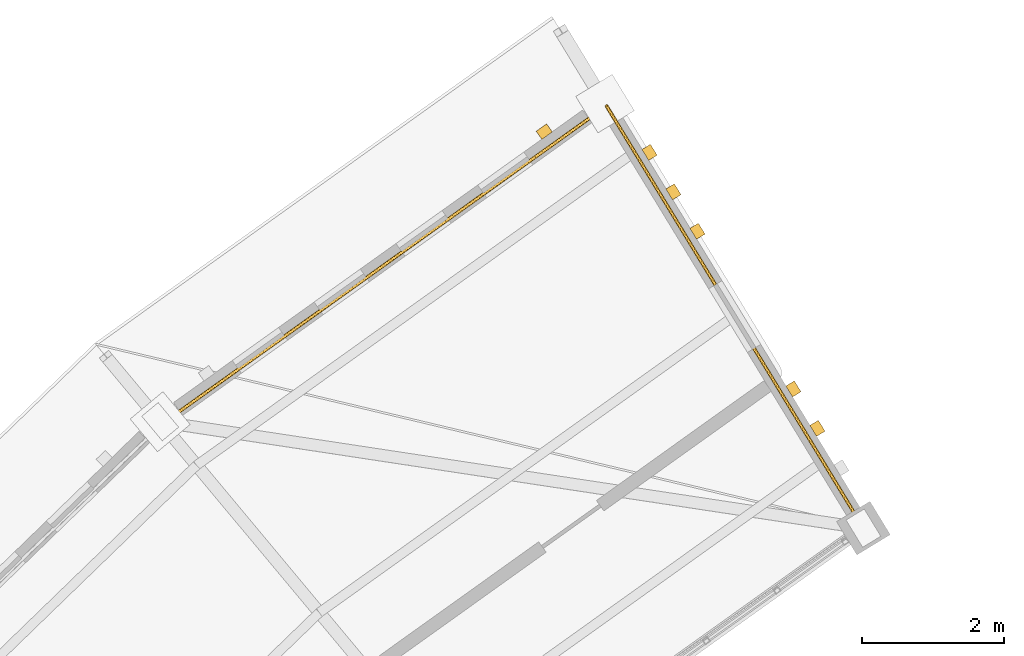
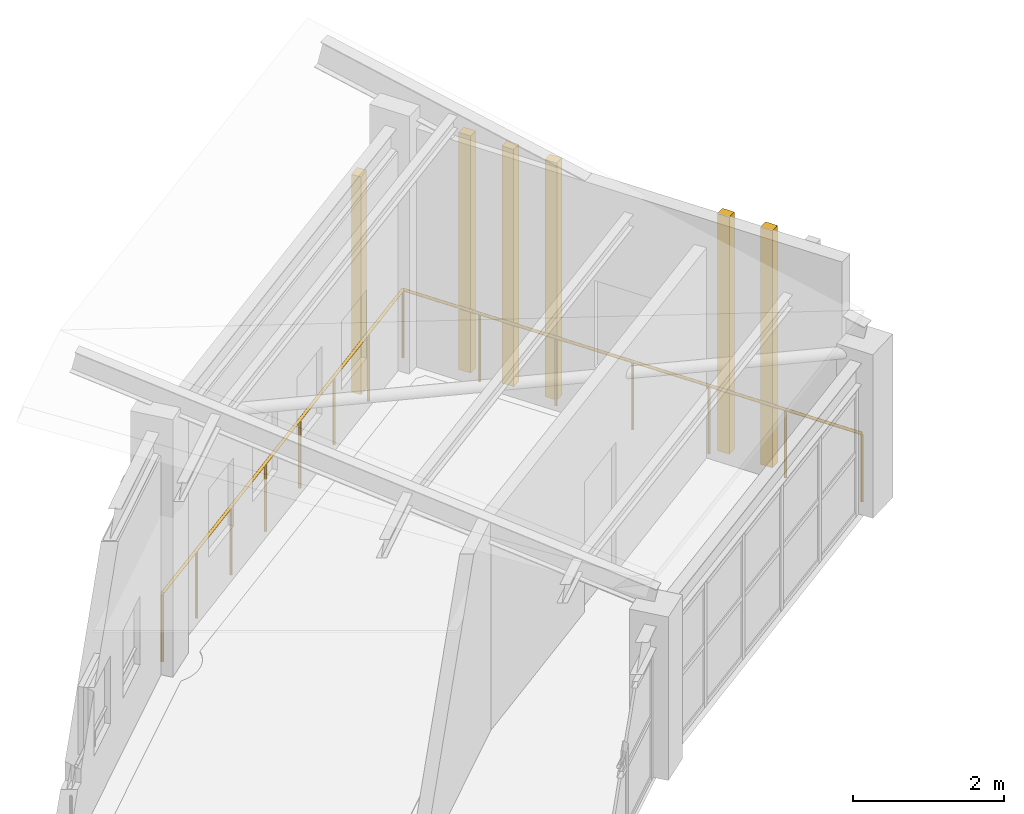
# One storey, part 145 of 149: 6 coverings, 2 railings.
"""IFC4 building model written with IfcOpenShell, lengths in metres."""

from ifc_helpers import new_model, si_unit, direction, frame, origin, origin_2d, place, context, subcontext, project, spatial, rectangle, circle, extrude, material, layer, layer_set, type_object, element, save


model = new_model("IFC4")

# Units and contexts
model_context = context("Model", 3, precision=1e-05, world=origin(), true_north=direction((0.0, 1.0)))
body_context = subcontext(model_context, "Body", "Model", "MODEL_VIEW")
ifc_project = project(units=[si_unit("LENGTHUNIT", "METRE"), si_unit("AREAUNIT", "SQUARE_METRE"), si_unit("VOLUMEUNIT", "CUBIC_METRE"), si_unit("PLANEANGLEUNIT", "RADIAN"), si_unit("MASSUNIT", "GRAM", prefix="KILO")], contexts=[model_context])

# Site, building, storey
site_placement = place(None, origin())
site = spatial("IfcSite", under=ifc_project, at=site_placement, CompositionType="ELEMENT")
building_placement = place(site_placement, origin())
building = spatial("IfcBuilding", under=site, at=building_placement, Name="Celadon Cloister-Ring School", CompositionType="ELEMENT")
storey_placement = place(building_placement, frame((0.0, 0.0, 12.5)))
storey = spatial("IfcBuildingStorey", under=building, at=storey_placement, Name="L03", CompositionType="ELEMENT", Elevation=12.5)

# Coverings
ifc_material_1 = material(Name="Perforated terracotta clay brick masonry", Category="masonry")
ifc_layer = layer(ifc_material_1, 0.139892578125)
ifc_layer_set = layer_set([ifc_layer], Name="Perforated terracotta clay brick masonry")
covering_type = type_object("IfcCoveringType", Name="CV-SC1", PredefinedType="CLADDING", material=ifc_layer_set)
covering_placement = place(storey_placement, frame((59.112060546875, 103.027099609375, -0.00048828125), z_axis=(0.0, 0.0, 1.0), x_axis=(0.813415600856, 0.581682955126, 0.0)))
element("IfcCovering", 1, at=covering_placement, inside=storey, type_object=covering_type, Name="Brick Screen Rib 0335", PredefinedType="CLADDING", context=body_context, shape_type="SweptSolid", body=[
    extrude(rectangle(XDim=0.179931640625, YDim=0.139892578125, at=origin_2d()), origin(), (0.0, 0.0, 1.0), 3.51708984375),
])
for number, where, z_axis, x_axis, name in (
    (2, (60.594970703125, 102.735107421875, 0.0), (0.0, 0.0, 1.0), (0.51986207177, -0.854250212956, 0.0), "Brick Screen Rib 0420"),
    (3, (60.931884765625, 102.178955078125, 0.0), (0.0, 0.0, 1.0), (0.51986207177, -0.854250212956, 0.0), "Brick Screen Rib 0421"),
    (4, (61.27001953125, 101.6240234375, 0.0), (0.0, 0.0, 1.0), (0.51986207177, -0.854250212956, 0.0), "Brick Screen Rib 0422"),
    (5, (62.6220703125, 99.403076171875, 0.0), (0.0, 0.0, 1.0), (0.51986207177, -0.854250212956, 0.0), "Brick Screen Rib 0423"),
    (6, (62.9599609375, 98.847900390625, 0.0), (0.0, 0.0, 1.0), (0.51986207177, -0.854250212956, 0.0), "Brick Screen Rib 0424"),
):
    element("IfcCovering", number, at=place(storey_placement, frame(where, z_axis=z_axis, x_axis=x_axis)), inside=storey, type_object=covering_type, Name=name, PredefinedType="CLADDING", context=body_context, shape_type="SweptSolid", body=[
        extrude(rectangle(XDim=0.179931640625, YDim=0.139892578125, at=origin_2d()), origin(), (0.0, 0.0, 1.0), 3.830078125),
    ])

# Railings
ifc_material_2 = material(Name="Structural steel S355JR", Category="steel")
railing_type = type_object("IfcRailingType", Name="RL-BL1", PredefinedType="BALUSTRADE", material=ifc_material_2)
railing_1_placement = place(storey_placement, frame((59.989990234375, 103.387939453125, 0.0)))
element("IfcRailing", 7, at=railing_1_placement, inside=storey, type_object=railing_type, Name="Terrace Balustrade 0145", PredefinedType="BALUSTRADE", context=body_context, shape_type="SweptSolid", body=[
    extrude(circle(Radius=0.02392578125, at=origin_2d()), frame((0.0, 0.0, 1.09619140625), z_axis=(-0.81343117442, -0.581661176702, 0.0), x_axis=(0.581661176702, -0.81343117442, 0.0)), (0.0, 0.0, 1.0), 7.697021484375),
    extrude(circle(Radius=0.02099609375, at=origin_2d()), origin(), (0.0, 0.0, 1.0), 1.072021484375),
    extrude(circle(Radius=0.02099609375, at=origin_2d()), frame((-0.89453125, -0.6396484375, 0.0)), (0.0, 0.0, 1.0), 1.072021484375),
    extrude(circle(Radius=0.02099609375, at=origin_2d()), frame((-1.788818359375, -1.279052734375, 0.0)), (0.0, 0.0, 1.0), 1.072021484375),
    extrude(circle(Radius=0.02099609375, at=origin_2d()), frame((-2.683349609375, -1.918701171875, 0.0)), (0.0, 0.0, 1.0), 1.072021484375),
    extrude(circle(Radius=0.02099609375, at=origin_2d()), frame((-3.57763671875, -2.558349609375, 0.0)), (0.0, 0.0, 1.0), 1.072021484375),
    extrude(circle(Radius=0.02099609375, at=origin_2d()), frame((-4.47216796875, -3.197998046875, 0.0)), (0.0, 0.0, 1.0), 1.072021484375),
    extrude(circle(Radius=0.02099609375, at=origin_2d()), frame((-5.366455078125, -3.83740234375, 0.0)), (0.0, 0.0, 1.0), 1.072021484375),
    extrude(circle(Radius=0.02099609375, at=origin_2d()), frame((-6.260986328125, -4.47705078125, 0.0)), (0.0, 0.0, 1.0), 1.072021484375),
])
railing_2_placement = place(storey_placement, frame((63.5869140625, 97.47705078125, 0.0)))
element("IfcRailing", 8, at=railing_2_placement, inside=storey, type_object=railing_type, Name="Terrace Balustrade 0215", PredefinedType="BALUSTRADE", context=body_context, shape_type="SweptSolid", body=[
    extrude(circle(Radius=0.02392578125, at=origin_2d()), frame((0.0, 0.0, 1.09619140625), z_axis=(-0.519840603898, 0.854263277063, 0.0), x_axis=(-0.854263277063, -0.519840603898, 0.0)), (0.0, 0.0, 1.0), 6.919189453125),
    extrude(circle(Radius=0.02099609375, at=origin_2d()), origin(), (0.0, 0.0, 1.0), 1.072021484375),
    extrude(circle(Radius=0.02099609375, at=origin_2d()), frame((-0.599609375, 0.985107421875, 0.0)), (0.0, 0.0, 1.0), 1.072021484375),
    extrude(circle(Radius=0.02099609375, at=origin_2d()), frame((-1.198974609375, 1.97021484375, 0.0)), (0.0, 0.0, 1.0), 1.072021484375),
    extrude(circle(Radius=0.02099609375, at=origin_2d()), frame((-1.79833984375, 2.95556640625, 0.0)), (0.0, 0.0, 1.0), 1.072021484375),
    extrude(circle(Radius=0.02099609375, at=origin_2d()), frame((-2.39794921875, 3.940673828125, 0.0)), (0.0, 0.0, 1.0), 1.072021484375),
    extrude(circle(Radius=0.02099609375, at=origin_2d()), frame((-2.99755859375, 4.92578125, 0.0)), (0.0, 0.0, 1.0), 1.072021484375),
    extrude(circle(Radius=0.02099609375, at=origin_2d()), frame((-3.596923828125, 5.910888671875, 0.0)), (0.0, 0.0, 1.0), 1.072021484375),
])

save(model, "model.ifc")
